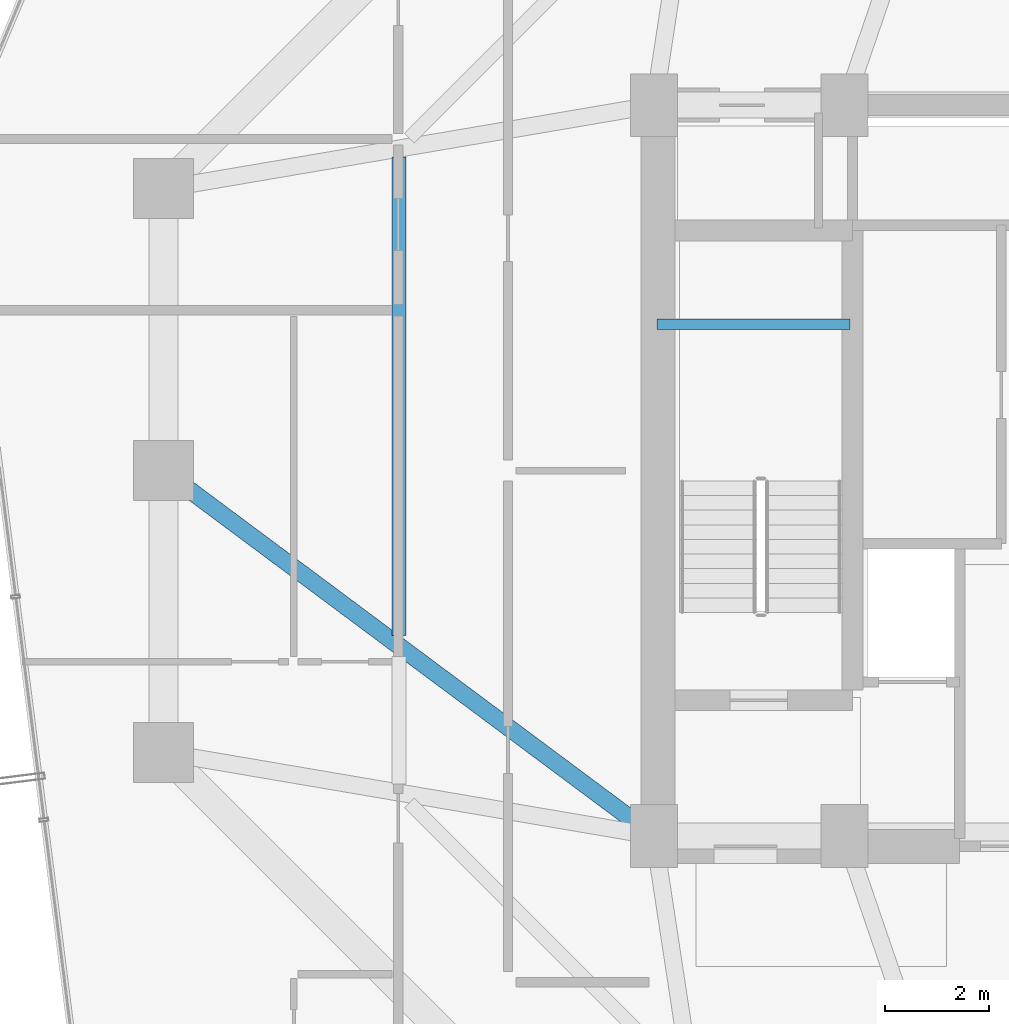
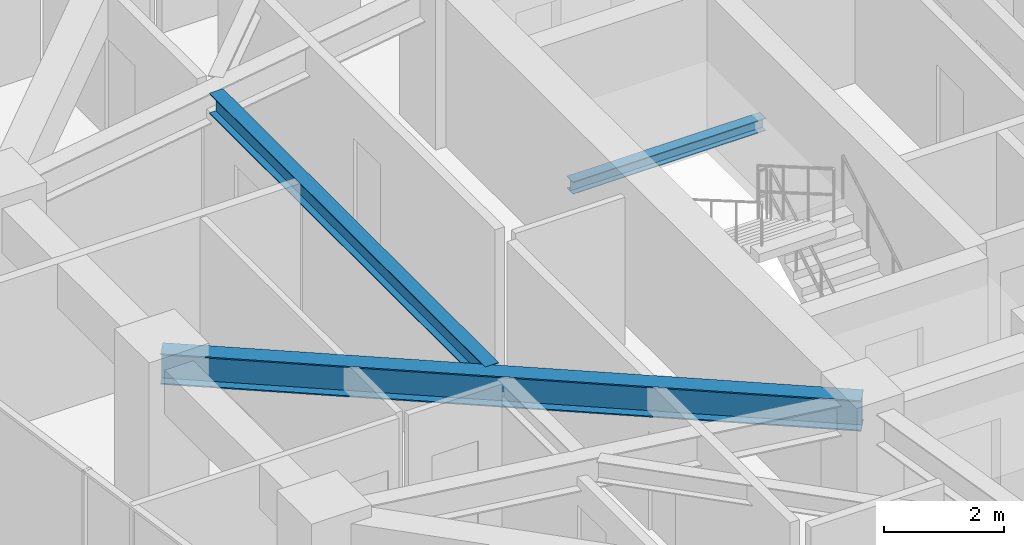
# One storey, part 12 of 33: 3 beams.
"""IFC4 building model written with IfcOpenShell, lengths in metres."""

from ifc_helpers import new_model, si_unit, direction, frame, origin, origin_2d, place, context, subcontext, project, spatial, i_section, extrude, material, material_profile, profile_set, type_object, element, save


model = new_model("IFC4")

# Units and contexts
model_context = context("Model", 3, precision=1e-05, world=origin(), true_north=direction((0.0, 1.0)))
body_context = subcontext(model_context, "Body", "Model", "MODEL_VIEW")
ifc_project = project(units=[si_unit("LENGTHUNIT", "METRE"), si_unit("AREAUNIT", "SQUARE_METRE"), si_unit("VOLUMEUNIT", "CUBIC_METRE"), si_unit("PLANEANGLEUNIT", "RADIAN"), si_unit("MASSUNIT", "GRAM", prefix="KILO")], contexts=[model_context])

# Site, building, storey
site_placement = place(None, origin())
site = spatial("IfcSite", under=ifc_project, at=site_placement, CompositionType="ELEMENT")
building_placement = place(site_placement, origin())
building = spatial("IfcBuilding", under=site, at=building_placement, Name="Veraguas Prism Commons", CompositionType="ELEMENT")
storey_placement = place(building_placement, frame((0.0, 0.0, 152.25)))
storey = spatial("IfcBuildingStorey", under=building, at=storey_placement, Name="L43", CompositionType="ELEMENT", Elevation=152.25)

# Beams
ifc_material = material(Name="Steel ASTM A992 Grade 50", Category="steel")
ifc_material_profile_1 = material_profile(ifc_material, i_section(OverallWidth=0.260986328125, OverallDepth=0.419921875, WebThickness=0.01171875, FlangeThickness=0.019287109375, at=origin_2d()), Name="W410X114")
ifc_profile_set_1 = profile_set([ifc_material_profile_1], Name="Steel ASTM A992 Grade 50")
beam_type_1 = type_object("IfcBeamType", Name="Lower Floor Joist W410x114", PredefinedType="JOIST", material=ifc_profile_set_1)
beam_1_placement = place(storey_placement, frame((12.31201171875, 30.003662109375, 2.7900390625), z_axis=(0.0, -1.0, 0.0), x_axis=(1.0, 0.0, 0.0)))
element("IfcBeam", 1, at=beam_1_placement, inside=storey, type_object=beam_type_1, Name="Composite Floor Joist L43-JS07", PredefinedType="JOIST", context=body_context, shape_type="SweptSolid", body=[
    extrude(i_section(OverallWidth=0.260986328125, OverallDepth=0.419921875, WebThickness=0.01171875, FlangeThickness=0.019287109375, at=origin_2d()), origin(), (0.0, 0.0, 1.0), 9.16162109375),
])
ifc_material_profile_2 = material_profile(ifc_material, i_section(OverallWidth=0.202880859375, OverallDepth=0.251953125, WebThickness=0.008056640625, FlangeThickness=0.013427734375, at=origin_2d()), Name="W250X58")
ifc_profile_set_2 = profile_set([ifc_material_profile_2], Name="Steel ASTM A992 Grade 50")
beam_type_2 = type_object("IfcBeamType", Name="Structural Opening Lintel W250x58", PredefinedType="LINTEL", material=ifc_profile_set_2)
beam_2_placement = place(storey_placement, frame((17.25, 26.800048828125, 1.299072265625), z_axis=(1.0, 0.0, 0.0), x_axis=(0.0, 1.0, 0.0)))
element("IfcBeam", 2, at=beam_2_placement, inside=storey, type_object=beam_type_2, Name="Stair ST-01 Half-Landing Support Beam L43-1", PredefinedType="LINTEL", context=body_context, shape_type="SweptSolid", body=[
    extrude(i_section(OverallWidth=0.202880859375, OverallDepth=0.251953125, WebThickness=0.008056640625, FlangeThickness=0.013427734375, at=origin_2d()), origin(), (0.0, 0.0, 1.0), 3.699951171875),
])
ifc_material_profile_3 = material_profile(ifc_material, i_section(OverallWidth=0.327880859375, OverallDepth=0.6220703125, WebThickness=0.015380859375, FlangeThickness=0.0244140625, at=origin_2d()), Name="W610X195")
ifc_profile_set_3 = profile_set([ifc_material_profile_3], Name="Steel ASTM A992 Grade 50")
beam_type_3 = type_object("IfcBeamType", Name="Zone 2 Radial Girder W610x195", PredefinedType="BEAM", material=ifc_profile_set_3)
beam_3_placement = place(storey_placement, frame((7.800048828125, 24.0, 2.68896484375), z_axis=(0.802040137921, -0.597270137512, 0.0), x_axis=(0.597270137512, 0.802040137921, 0.0)))
element("IfcBeam", 3, at=beam_3_placement, inside=storey, type_object=beam_type_3, Name="Radial Floor Girder L43-RD08", PredefinedType="BEAM", context=body_context, shape_type="SweptSolid", body=[
    extrude(i_section(OverallWidth=0.327880859375, OverallDepth=0.6220703125, WebThickness=0.015380859375, FlangeThickness=0.0244140625, at=origin_2d()), origin(), (0.0, 0.0, 1.0), 11.719970703125),
])

save(model, "model.ifc")
